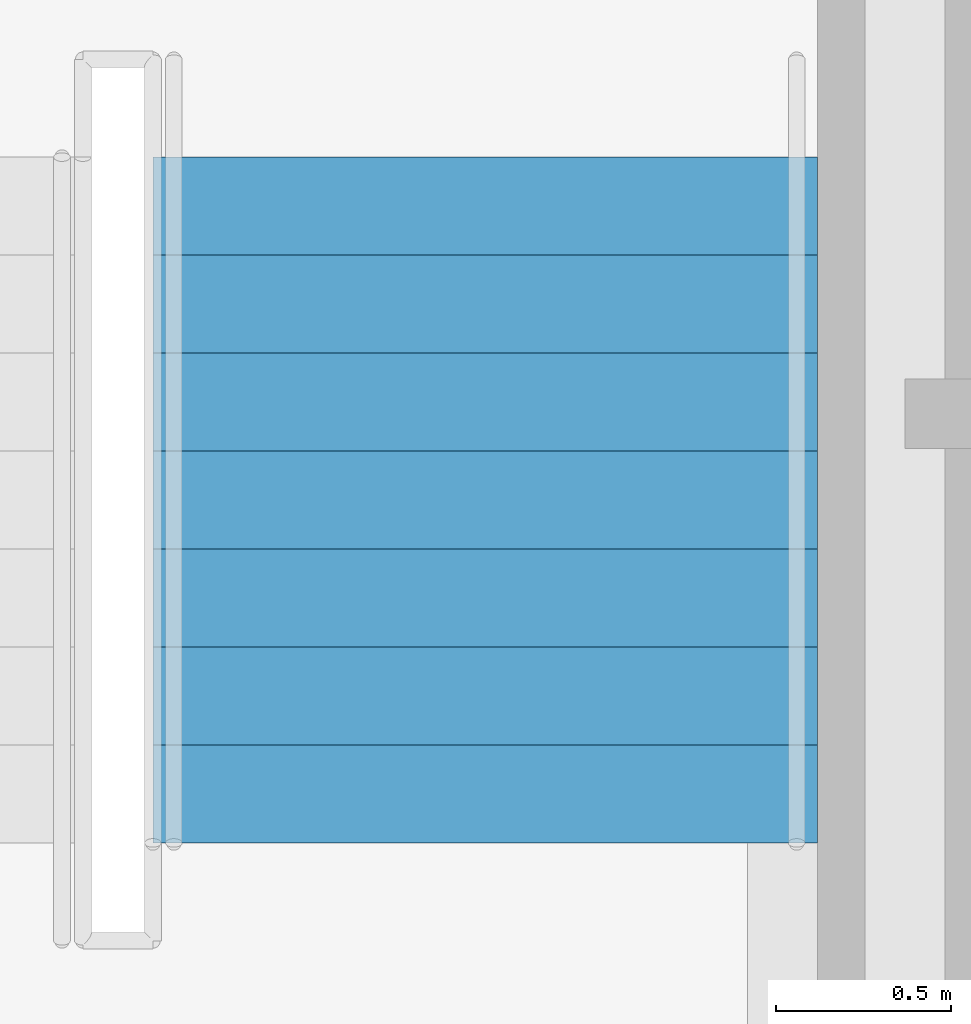
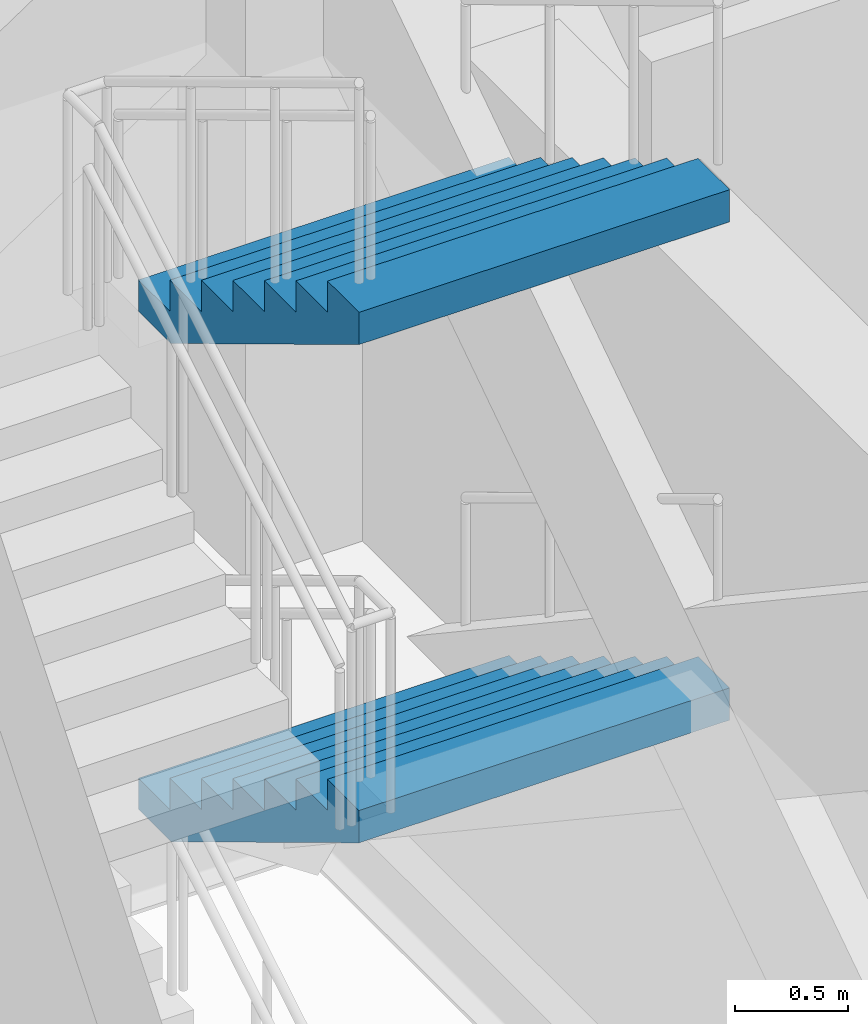
# One storey, part 27 of 30: 2 stair flights, 1 element without a shape of its own.
"""IFC4 building model written with IfcOpenShell, lengths in metres."""

import ifcopenshell
import ifcopenshell.guid

model = None  # the IFC model being written
_history = None  # IfcOwnerHistory: only IFC2X3 demands one
_inside = {}  # id of a spatial element -> (the spatial element, [elements in it])
_under = {}  # id of a project, library or spatial element -> (it, [spatial elements below it])
_declared = {}  # id of a project -> (the project, [libraries it declares])
_typed = {}  # id of a type object -> (the type object, [elements of that type])
_made_of = {}  # id of a material, layer set ... -> (it, [elements and type objects made of it])


def new_model(schema):
    """Start an empty IFC model of exactly this schema.

    Asked for "IFC4X3", IfcOpenShell would pick the latest addendum, in which some entities
    have other attributes; the version numbers below select the first issue.
    IFC2X3 requires an IfcOwnerHistory on every rooted entity: one is made here for all.
    """
    global model, _history
    if schema == "IFC4X3":
        model = ifcopenshell.file(schema_version=(4, 3, 0, 0))
    else:
        model = ifcopenshell.file(schema=schema)
    _inside.clear()
    _under.clear()
    _declared.clear()
    _typed.clear()
    _made_of.clear()
    _history = None
    if model.schema == "IFC2X3":
        org = make("IfcOrganization", Name="unknown")
        user = make(
            "IfcPersonAndOrganization",
            ThePerson=make("IfcPerson", FamilyName="unknown"),
            TheOrganization=org,
        )
        app = make(
            "IfcApplication",
            ApplicationDeveloper=org,
            Version="unknown",
            ApplicationFullName="unknown",
            ApplicationIdentifier="unknown",
        )
        _history = make(
            "IfcOwnerHistory",
            OwningUser=user,
            OwningApplication=app,
            ChangeAction="ADDED",
            CreationDate=0,
        )
    return model


def make(cls, **values):
    """One entity of the class cls with the attributes given. An attribute that is None is left unset."""
    return model.create_entity(
        cls, **{name: value for name, value in values.items() if value is not None}
    )


def rooted(cls, **values):
    """An entity with a GlobalId (a new one), such as an element, a storey or a relation."""
    return make(cls, GlobalId=ifcopenshell.guid.new(), OwnerHistory=_history, **values)


def si_unit(unit_type, name, prefix=None):
    """IfcSIUnit, for example si_unit("LENGTHUNIT", "METRE", prefix="MILLI")."""
    return make("IfcSIUnit", UnitType=unit_type, Prefix=prefix, Name=name)


def assignment(units):
    """IfcUnitAssignment: the units of a project."""
    return None if units is None else make("IfcUnitAssignment", Units=units)


def point(xyz):
    """IfcCartesianPoint."""
    return None if xyz is None else make("IfcCartesianPoint", Coordinates=xyz)


def direction(xyz):
    """IfcDirection."""
    return None if xyz is None else make("IfcDirection", DirectionRatios=xyz)


def frame(location, z_axis=None, x_axis=None):
    """IfcAxis2Placement3D, a coordinate frame: its origin and axes. An axis left out is left unset."""
    return make(
        "IfcAxis2Placement3D",
        Location=point(location),
        Axis=direction(z_axis),
        RefDirection=direction(x_axis),
    )


def origin():
    """The frame at (0, 0, 0) with its axes left unset."""
    return frame((0.0, 0.0, 0.0))


def place(relative_to, where):
    """IfcLocalPlacement: puts the frame where relative to a parent placement (None: the world)."""
    return make(
        "IfcLocalPlacement", PlacementRelTo=relative_to, RelativePlacement=where
    )


def context(
    kind, dimensions, precision=None, world=None, true_north=None, identifier=None
):
    """IfcGeometricRepresentationContext, for example the 3D "Model" context."""
    return make(
        "IfcGeometricRepresentationContext",
        ContextIdentifier=identifier,
        ContextType=kind,
        CoordinateSpaceDimension=dimensions,
        Precision=precision,
        WorldCoordinateSystem=world,
        TrueNorth=true_north,
    )


def subcontext(parent, identifier, kind, view, scale=None):
    """IfcGeometricRepresentationSubContext, for example "Body" below "Model"."""
    return make(
        "IfcGeometricRepresentationSubContext",
        ContextIdentifier=identifier,
        ContextType=kind,
        ParentContext=parent,
        TargetScale=scale,
        TargetView=view,
    )


def project(units=None, contexts=None):
    """IfcProject with its units and contexts."""
    return rooted(
        "IfcProject",
        Name="project",
        RepresentationContexts=contexts,
        UnitsInContext=assignment(units),
    )


def spatial(cls, under=None, at=None, **own):
    """A site, building, storey or space (cls), placed at a placement, below another one or the project."""
    s = rooted(cls, ObjectPlacement=at, **own)
    if under is not None:
        _under.setdefault(under.id(), (under, []))[1].append(s)
    return s


def point_list(points):
    """IfcCartesianPointList2D or 3D."""
    cls = (
        "IfcCartesianPointList2D" if len(points[0]) == 2 else "IfcCartesianPointList3D"
    )
    return make(cls, CoordList=points)


def polygons(points, faces, closed=None, point_numbers=None):
    """IfcPolygonalFaceSet: a face is its outer loop, then its inner loops; points numbered from 1."""
    made = []
    for loops in faces:
        if len(loops) == 1:
            made.append(make("IfcIndexedPolygonalFace", CoordIndex=loops[0]))
        else:
            made.append(
                make(
                    "IfcIndexedPolygonalFaceWithVoids",
                    CoordIndex=loops[0],
                    InnerCoordIndices=loops[1:],
                )
            )
    return make(
        "IfcPolygonalFaceSet",
        Coordinates=point_list(points),
        Closed=closed,
        Faces=made,
        PnIndex=point_numbers,
    )


def shape(context_of_items, identifier, shape_type, items):
    """IfcShapeRepresentation: the items that make up one representation, for example the "Body"."""
    return make(
        "IfcShapeRepresentation",
        ContextOfItems=context_of_items,
        RepresentationIdentifier=identifier,
        RepresentationType=shape_type,
        Items=items,
    )


def source(mapping_origin, context_of_items, identifier, shape_type, items):
    """IfcRepresentationMap: a shape defined once, which mapped items show again and again."""
    return make(
        "IfcRepresentationMap",
        MappingOrigin=mapping_origin,
        MappedRepresentation=shape(context_of_items, identifier, shape_type, items),
    )


def transform(
    local_origin,
    x_axis=None,
    y_axis=None,
    z_axis=None,
    scale=None,
    scale2=None,
    scale3=None,
    uniform=True,
):
    """IfcCartesianTransformationOperator3D, or its non-uniform kind. x_axis, y_axis, z_axis: its Axis1, 2, 3."""
    if uniform:
        return make(
            "IfcCartesianTransformationOperator3D",
            Axis1=direction(x_axis),
            Axis2=direction(y_axis),
            LocalOrigin=point(local_origin),
            Scale=scale,
            Axis3=direction(z_axis),
        )
    return make(
        "IfcCartesianTransformationOperator3DnonUniform",
        Axis1=direction(x_axis),
        Axis2=direction(y_axis),
        LocalOrigin=point(local_origin),
        Scale=scale,
        Axis3=direction(z_axis),
        Scale2=scale2,
        Scale3=scale3,
    )


def mapped(mapping_source, mapping_target):
    """IfcMappedItem: shows the shape of a source again, moved by a transform."""
    return make(
        "IfcMappedItem", MappingSource=mapping_source, MappingTarget=mapping_target
    )


def material(Name=None, Category=None):
    """IfcMaterial."""
    return make("IfcMaterial", Name=Name, Category=Category)


def made_of(thing, what):
    """Note that an element or type object is made of a material, layer set ...; save() writes the relation."""
    if what is not None:
        _made_of.setdefault(what.id(), (what, []))[1].append(thing)
    return thing


def type_object(cls, material=None, **own):
    """A type object (cls), such as IfcWallType, which elements share."""
    return made_of(rooted(cls, **own), material)


def element(
    cls,
    number,
    at=None,
    inside=None,
    cuts=None,
    type_object=None,
    material=None,
    context=None,
    identifier="Body",
    shape_type=None,
    held_by="IfcProductDefinitionShape",
    body=None,
    shapes=None,
    **own,
):
    """One element of the class cls, such as IfcWall. Its Tag is "e" and its number.

    at: its placement. inside: the storey or other place that contains it. cuts: it is an
    opening in that element (IfcRelVoidsElement). A single representation is given by context,
    identifier, shape_type and body (its items); several are given by shapes. held_by: the class
    of the entity that holds the representations. save() writes the other relations.
    """
    e = rooted(cls, Tag="e%d" % number, ObjectPlacement=at, **own)
    if body is not None:
        shapes = [shape(context, identifier, shape_type, body)]
    if shapes is not None:
        e.Representation = make(held_by, Representations=shapes)
    if inside is not None:
        _inside.setdefault(inside.id(), (inside, []))[1].append(e)
    if cuts is not None:
        rooted(
            "IfcRelVoidsElement", RelatingBuildingElement=cuts, RelatedOpeningElement=e
        )
    if type_object is not None:
        _typed.setdefault(type_object.id(), (type_object, []))[1].append(e)
    return made_of(e, material)


def aggregate(whole, parts):
    """IfcRelAggregates: a whole, such as a stair, and the parts it consists of."""
    return rooted("IfcRelAggregates", RelatingObject=whole, RelatedObjects=parts)


def save(model, path):
    """Write the relations noted so far, then the file.

    IfcRelAggregates (storeys below a building ...), IfcRelContainedInSpatialStructure (elements
    in a storey), IfcRelDefinesByType, IfcRelAssociatesMaterial and IfcRelDeclares: one each for
    every whole, place, type object, material and project.
    """
    for whole, parts in _under.values():
        aggregate(whole, parts)
    for where, things in _inside.values():
        rooted(
            "IfcRelContainedInSpatialStructure",
            RelatedElements=things,
            RelatingStructure=where,
        )
    for kind, things in _typed.values():
        rooted("IfcRelDefinesByType", RelatedObjects=things, RelatingType=kind)
    for what, things in _made_of.values():
        rooted("IfcRelAssociatesMaterial", RelatedObjects=things, RelatingMaterial=what)
    for by, libraries in _declared.values():
        rooted("IfcRelDeclares", RelatingContext=by, RelatedDefinitions=libraries)
    model.write(path)


model = new_model("IFC4")

# Units and contexts
model_context = context("Model", 3, precision=1e-05, world=origin(), true_north=direction((0.0, 1.0)))
body_context = subcontext(model_context, "Body", "Model", "MODEL_VIEW")
ifc_project = project(units=[si_unit("LENGTHUNIT", "METRE"), si_unit("AREAUNIT", "SQUARE_METRE"), si_unit("VOLUMEUNIT", "CUBIC_METRE"), si_unit("PLANEANGLEUNIT", "RADIAN"), si_unit("MASSUNIT", "GRAM", prefix="KILO")], contexts=[model_context])

# Site, building, storey
site_placement = place(None, origin())
site = spatial("IfcSite", under=ifc_project, at=site_placement, CompositionType="ELEMENT")
building_placement = place(site_placement, origin())
building = spatial("IfcBuilding", under=site, at=building_placement, Name="Kopane Lantern Tower", CompositionType="ELEMENT")
storey_placement = place(building_placement, frame((0.0, 0.0, 6.0)))
storey = spatial("IfcBuildingStorey", under=building, at=storey_placement, Name="L01", CompositionType="ELEMENT", Elevation=6.0)

# Stair, stair flights
ifc_material_1 = material(Name="Steel S355JR", Category="steel")
stair_type = type_object("IfcStairType", Name="EXIT STAIR 1900 HALF TURN", PredefinedType="HALF_TURN_STAIR", material=ifc_material_1)
stair_placement = place(storey_placement, origin())
stair = element("IfcStair", 1, at=stair_placement, inside=storey, type_object=stair_type, Name="Exit stair ST2 L01", PredefinedType="HALF_TURN_STAIR")
ifc_material_2 = material(Name="Steel S355JR", Category="steel")
stair_flight_type = type_object("IfcStairFlightType", Name="STAIR FLIGHT 1900 STEEL", PredefinedType="STRAIGHT", material=ifc_material_2)
shared_shape = source(origin(), body_context, "Body", "Tessellation", [
    polygons([(1.959960938, 0.949951172, 1.181152344), (1.679931641, 0.949951172, 1.181152344), (1.679931641, -0.949951172, 1.181152344), (1.959960938, -0.949951172, 1.181152344), (0.290527344, 0.949951172, 0.0), (1.959960938, 0.949951172, 1.006347656), (1.959960938, -0.949951172, 1.006347656), (0.290527344, -0.949951172, 0.0), (0.0, 0.949951172, 0.0), (0.0, -0.949951172, 0.0), (0.280029297, 0.949951172, 0.168701172), (0.0, 0.949951172, 0.168701172), (0.0, -0.949951172, 0.168701172), (0.280029297, -0.949951172, 0.168701172), (0.280029297, 0.949951172, 0.337402344), (0.280029297, -0.949951172, 0.337402344), (0.560058594, 0.949951172, 0.337402344), (0.560058594, -0.949951172, 0.337402344), (0.560058594, 0.949951172, 0.506347656), (0.560058594, -0.949951172, 0.506347656), (0.840087891, 0.949951172, 0.506347656), (0.840087891, -0.949951172, 0.506347656), (0.840087891, 0.949951172, 0.675048828), (0.840087891, -0.949951172, 0.675048828), (1.120117188, 0.949951172, 0.675048828), (1.120117188, -0.949951172, 0.675048828), (1.120117188, 0.949951172, 0.84375), (1.120117188, -0.949951172, 0.84375), (1.399902344, 0.949951172, 0.84375), (1.399902344, -0.949951172, 0.84375), (1.399902344, 0.949951172, 1.012451172), (1.399902344, -0.949951172, 1.012451172), (1.679931641, 0.949951172, 1.012451172), (1.679931641, -0.949951172, 1.012451172), (0.0, 0.0, 0.004559491), (0.0, 0.0, 0.009118982), (0.0, 0.0, 0.013678473), (0.0, 0.0, 0.018237965), (0.0, 0.0, 0.022797456), (0.0, 0.0, 0.027356947), (0.0, 0.0, 0.031916438), (0.0, 0.0, 0.036475929), (0.0, 0.0, 0.04103542), (0.0, 0.0, 0.045594911), (0.0, 0.0, 0.050154402), (0.0, 0.0, 0.054713894), (0.0, 0.0, 0.059273385), (0.0, 0.0, 0.063832876), (0.0, 0.0, 0.068392367), (0.0, 0.0, 0.072951858), (0.0, 0.0, 0.077511349), (0.0, 0.0, 0.08207084), (0.0, 0.0, 0.086630332), (0.0, 0.0, 0.091189823), (0.0, 0.0, 0.095749314), (0.0, 0.0, 0.100308805), (0.0, 0.0, 0.104868296), (0.0, 0.0, 0.109427787), (0.0, 0.0, 0.113987278), (0.0, 0.0, 0.118546769), (0.0, 0.0, 0.123106261), (0.0, 0.0, 0.127665752), (0.0, 0.0, 0.132225243), (0.0, 0.0, 0.136784734), (0.0, 0.0, 0.141344225), (0.0, 0.0, 0.145903716), (0.0, 0.0, 0.150463207), (0.0, 0.0, 0.155022698), (0.0, 0.0, 0.15958219), (0.0, 0.0, 0.164141681), (1.959960938, 0.0, 1.011072107), (1.959960938, 0.0, 1.015796558), (1.959960938, 0.0, 1.020521009), (1.959960938, 0.0, 1.02524546), (1.959960938, 0.0, 1.029969911), (1.959960938, 0.0, 1.034694362), (1.959960938, 0.0, 1.039418813), (1.959960938, 0.0, 1.044143264), (1.959960938, 0.0, 1.048867715), (1.959960938, 0.0, 1.053592166), (1.959960938, 0.0, 1.058316617), (1.959960938, 0.0, 1.063041068), (1.959960938, 0.0, 1.067765519), (1.959960938, 0.0, 1.07248997), (1.959960938, 0.0, 1.077214421), (1.959960938, 0.0, 1.081938872), (1.959960938, 0.0, 1.086663323), (1.959960938, 0.0, 1.091387774), (1.959960938, 0.0, 1.096112226), (1.959960938, 0.0, 1.100836677), (1.959960938, 0.0, 1.105561128), (1.959960938, 0.0, 1.110285579), (1.959960938, 0.0, 1.11501003), (1.959960938, 0.0, 1.119734481), (1.959960938, 0.0, 1.124458932), (1.959960938, 0.0, 1.129183383), (1.959960938, 0.0, 1.133907834), (1.959960938, 0.0, 1.138632285), (1.959960938, 0.0, 1.143356736), (1.959960938, 0.0, 1.148081187), (1.959960938, 0.0, 1.152805638), (1.959960938, 0.0, 1.157530089), (1.959960938, 0.0, 1.16225454), (1.959960938, 0.0, 1.166978991), (1.959960938, 0.0, 1.171703442), (1.959960938, 0.0, 1.176427893)], [[[1, 2, 3]], [[1, 3, 4]], [[5, 6, 7]], [[5, 7, 8]], [[9, 5, 8]], [[9, 8, 10]], [[11, 12, 13]], [[11, 13, 14]], [[15, 11, 14]], [[15, 14, 16]], [[17, 15, 16]], [[17, 16, 18]], [[19, 17, 18]], [[19, 18, 20]], [[21, 19, 20]], [[21, 20, 22]], [[23, 21, 22]], [[23, 22, 24]], [[25, 23, 24]], [[25, 24, 26]], [[27, 25, 26]], [[27, 26, 28]], [[29, 27, 28]], [[29, 28, 30]], [[31, 29, 30]], [[31, 30, 32]], [[33, 31, 32]], [[33, 32, 34]], [[2, 33, 34]], [[2, 34, 3]], [[33, 1, 6]], [[29, 33, 6]], [[2, 1, 33]], [[25, 29, 6]], [[31, 33, 29]], [[5, 21, 25]], [[27, 29, 25]], [[17, 21, 5]], [[23, 25, 21]], [[11, 17, 5]], [[19, 21, 17]], [[9, 11, 5]], [[15, 17, 11]], [[12, 11, 9]], [[6, 5, 25]], [[7, 4, 34]], [[7, 34, 30]], [[34, 4, 3]], [[7, 30, 26]], [[30, 34, 32]], [[26, 22, 8]], [[26, 30, 28]], [[8, 22, 18]], [[22, 26, 24]], [[8, 18, 14]], [[18, 22, 20]], [[8, 14, 10]], [[14, 18, 16]], [[10, 14, 13]], [[26, 8, 7]], [[10, 35, 9]], [[10, 36, 35]], [[9, 35, 36]], [[10, 37, 36]], [[9, 36, 37]], [[10, 38, 37]], [[9, 37, 38]], [[10, 39, 38]], [[9, 38, 39]], [[10, 40, 39]], [[9, 39, 40]], [[10, 41, 40]], [[9, 40, 41]], [[10, 42, 41]], [[9, 41, 42]], [[10, 43, 42]], [[9, 42, 43]], [[10, 44, 43]], [[9, 43, 44]], [[10, 45, 44]], [[9, 44, 45]], [[10, 46, 45]], [[9, 45, 46]], [[10, 47, 46]], [[9, 46, 47]], [[10, 48, 47]], [[9, 47, 48]], [[10, 49, 48]], [[9, 48, 49]], [[10, 50, 49]], [[9, 49, 50]], [[10, 51, 50]], [[9, 50, 51]], [[10, 52, 51]], [[9, 51, 52]], [[10, 53, 52]], [[9, 52, 53]], [[10, 54, 53]], [[9, 53, 54]], [[10, 55, 54]], [[9, 54, 55]], [[10, 56, 55]], [[9, 55, 56]], [[10, 57, 56]], [[9, 56, 57]], [[10, 58, 57]], [[9, 57, 58]], [[10, 59, 58]], [[9, 58, 59]], [[10, 60, 59]], [[9, 59, 60]], [[10, 61, 60]], [[9, 60, 61]], [[10, 62, 61]], [[9, 61, 62]], [[10, 63, 62]], [[9, 62, 63]], [[10, 64, 63]], [[9, 63, 64]], [[10, 65, 64]], [[9, 64, 65]], [[10, 66, 65]], [[9, 65, 66]], [[10, 67, 66]], [[9, 66, 67]], [[10, 68, 67]], [[9, 67, 68]], [[10, 69, 68]], [[9, 68, 69]], [[10, 70, 69]], [[9, 69, 70]], [[10, 13, 70]], [[70, 13, 12]], [[9, 70, 12]], [[7, 6, 71]], [[7, 71, 72]], [[6, 72, 71]], [[7, 72, 73]], [[6, 73, 72]], [[7, 73, 74]], [[6, 74, 73]], [[7, 74, 75]], [[6, 75, 74]], [[7, 75, 76]], [[6, 76, 75]], [[7, 76, 77]], [[6, 77, 76]], [[7, 77, 78]], [[6, 78, 77]], [[7, 78, 79]], [[6, 79, 78]], [[7, 79, 80]], [[6, 80, 79]], [[7, 80, 81]], [[6, 81, 80]], [[7, 81, 82]], [[6, 82, 81]], [[7, 82, 83]], [[6, 83, 82]], [[7, 83, 84]], [[6, 84, 83]], [[7, 84, 85]], [[6, 85, 84]], [[7, 85, 86]], [[6, 86, 85]], [[7, 86, 87]], [[6, 87, 86]], [[7, 87, 88]], [[6, 88, 87]], [[7, 88, 89]], [[6, 89, 88]], [[7, 89, 90]], [[6, 90, 89]], [[7, 90, 91]], [[6, 91, 90]], [[7, 91, 92]], [[6, 92, 91]], [[7, 92, 93]], [[6, 93, 92]], [[7, 93, 94]], [[6, 94, 93]], [[7, 94, 95]], [[6, 95, 94]], [[7, 95, 96]], [[6, 96, 95]], [[7, 96, 97]], [[6, 97, 96]], [[7, 97, 98]], [[6, 98, 97]], [[7, 98, 99]], [[6, 99, 98]], [[7, 99, 100]], [[6, 100, 99]], [[7, 100, 101]], [[6, 101, 100]], [[7, 101, 102]], [[6, 102, 101]], [[7, 102, 103]], [[6, 103, 102]], [[7, 103, 104]], [[6, 104, 103]], [[7, 104, 105]], [[6, 105, 104]], [[7, 105, 106]], [[6, 106, 105]], [[7, 106, 4]], [[106, 1, 4]], [[6, 1, 106]]], closed=True),
])
stair_flight_1_placement = place(storey_placement, frame((39.300048828125, 38.35009765625, 1.35009765625), z_axis=(0.0, 0.0, 1.0), x_axis=(0.0, -1.0, 0.0)))
stair_flight_1 = element("IfcStairFlight", 2, at=stair_flight_1_placement, type_object=stair_flight_type, Name="ST2 flight 2", NumberOfRisers=8, NumberOfTreads=7, PredefinedType="STRAIGHT", RiserHeight=0.16875, TreadLength=0.28, context=body_context, shape_type="MappedRepresentation", body=[
    mapped(shared_shape, transform((0.0, 0.0, 0.0))),
])
stair_flight_2_placement = place(storey_placement, frame((39.300048828125, 38.35009765625, 4.050048828125), z_axis=(0.0, 0.0, 1.0), x_axis=(0.0, -1.0, 0.0)))
stair_flight_2 = element("IfcStairFlight", 3, at=stair_flight_2_placement, type_object=stair_flight_type, Name="ST2 flight 4", NumberOfRisers=8, NumberOfTreads=7, PredefinedType="STRAIGHT", RiserHeight=0.16875, TreadLength=0.28, context=body_context, shape_type="MappedRepresentation", body=[
    mapped(shared_shape, transform((0.0, 0.0, 0.0))),
])
aggregate(stair, [stair_flight_1, stair_flight_2])

save(model, "model.ifc")
